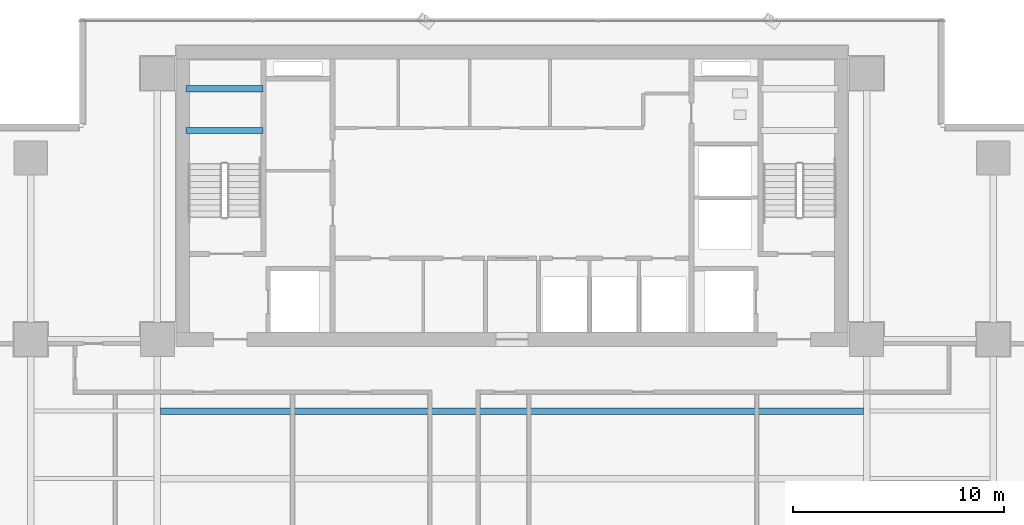
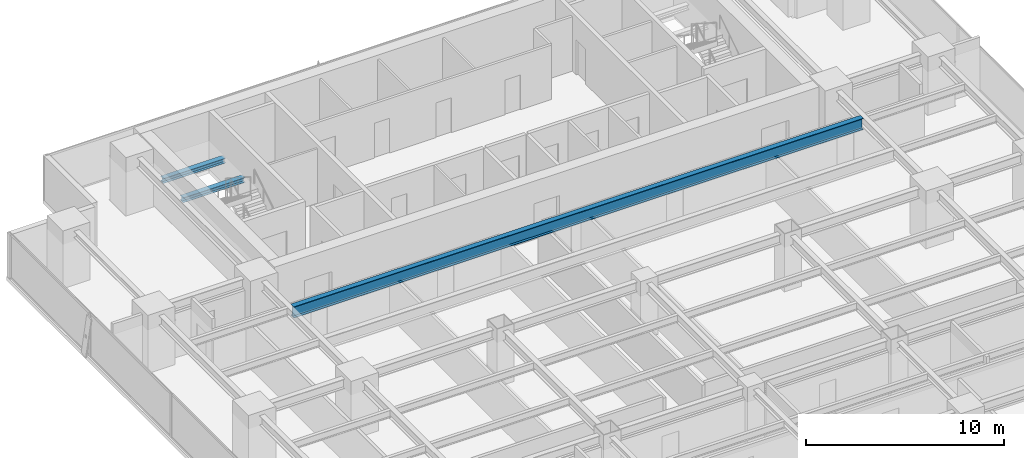
# One storey, part 19 of 36: 3 beams.
"""IFC4 building model written with IfcOpenShell, lengths in metres."""

from ifc_helpers import new_model, si_unit, direction, frame, origin, origin_2d, place, context, subcontext, project, spatial, i_section, extrude, source, transform, mapped, material, material_profile, profile_set, type_object, element, save


model = new_model("IFC4")

# Units and contexts
model_context = context("Model", 3, precision=1e-05, world=origin(), true_north=direction((0.0, 1.0)))
body_context = subcontext(model_context, "Body", "Model", "MODEL_VIEW")
ifc_project = project(units=[si_unit("LENGTHUNIT", "METRE"), si_unit("AREAUNIT", "SQUARE_METRE"), si_unit("VOLUMEUNIT", "CUBIC_METRE"), si_unit("PLANEANGLEUNIT", "RADIAN"), si_unit("MASSUNIT", "GRAM", prefix="KILO")], contexts=[model_context])

# Site, building, storey
site_placement = place(None, origin())
site = spatial("IfcSite", under=ifc_project, at=site_placement, CompositionType="ELEMENT")
building_placement = place(site_placement, origin())
building = spatial("IfcBuilding", under=site, at=building_placement, Name="Sumidabori Civic Tower", CompositionType="ELEMENT")
storey_placement = place(building_placement, frame((0.0, 0.0, 113.60009765625)))
storey = spatial("IfcBuildingStorey", under=building, at=storey_placement, Name="L29", CompositionType="ELEMENT", Elevation=113.60009765625)

# Beams
ifc_material = material(Name="Steel SN490", Category="steel")
ifc_material_profile_1 = material_profile(ifc_material, i_section(OverallWidth=0.300048828125, OverallDepth=0.300048828125, WebThickness=0.010986328125, FlangeThickness=0.01904296875, at=origin_2d()), Name="HE 300 B")
ifc_profile_set_1 = profile_set([ifc_material_profile_1], Name="Steel SN490")
beam_type_1 = type_object("IfcBeamType", Name="BM-LDG-300", PredefinedType="BEAM", material=ifc_profile_set_1)
shared_shape_1 = source(origin(), body_context, "Body", "SweptSolid", [
    extrude(i_section(OverallWidth=0.300048828125, OverallDepth=0.300048828125, WebThickness=0.010986328125, FlangeThickness=0.01904296875, at=origin_2d()), origin(), (0.0, 0.0, 1.0), 3.64990234375),
])
for number, where, z_axis, x_axis, name in (
    (1, (-15.449951171875, 20.09765625, 1.449951171875), (1.0, 0.0, 0.0), (0.0, 1.0, 0.0), "Stair ST-1 Landing Support Beam L29-1A"),
    (2, (-15.449951171875, 22.069580078125, 1.449951171875), (1.0, 0.0, 0.0), (0.0, 1.0, 0.0), "Stair ST-1 Landing Trimmer Beam L29-1B"),
):
    element("IfcBeam", number, at=place(storey_placement, frame(where, z_axis=z_axis, x_axis=x_axis)), inside=storey, type_object=beam_type_1, Name=name, PredefinedType="BEAM", context=body_context, shape_type="MappedRepresentation", body=[
        mapped(shared_shape_1, transform((0.0, 0.0, 0.0), x_axis=(1.0, 0.0, 0.0), y_axis=(0.0, 1.0, 0.0), z_axis=(0.0, 0.0, 1.0), scale=1.0)),
    ])
ifc_material_profile_2 = material_profile(ifc_material, i_section(OverallWidth=0.300048828125, OverallDepth=0.699951171875, WebThickness=0.01708984375, FlangeThickness=0.031982421875, at=origin_2d()), Name="HE 700 B")
ifc_profile_set_2 = profile_set([ifc_material_profile_2], Name="Steel SN490")
beam_type_2 = type_object("IfcBeamType", Name="BM-GIRD-700", PredefinedType="BEAM", material=ifc_profile_set_2)
shared_shape_2 = source(origin(), body_context, "Body", "SweptSolid", [
    extrude(i_section(OverallWidth=0.300048828125, OverallDepth=0.699951171875, WebThickness=0.01708984375, FlangeThickness=0.031982421875, at=origin_2d()), origin(), (0.0, 0.0, 1.0), 33.2998046875),
])
beam_placement = place(storey_placement, frame((-16.64990234375, 6.800048828125, 3.010009765625), z_axis=(1.0, 0.0, 0.0), x_axis=(0.0, 1.0, 0.0)))
element("IfcBeam", 3, at=beam_placement, inside=storey, type_object=beam_type_2, Name="North Bay Floor Beam L29 JSTN-54", PredefinedType="BEAM", context=body_context, shape_type="MappedRepresentation", body=[
    mapped(shared_shape_2, transform((0.0, 0.0, 0.0), x_axis=(1.0, 0.0, 0.0), y_axis=(0.0, 1.0, 0.0), z_axis=(0.0, 0.0, 1.0), scale=1.0)),
])

save(model, "model.ifc")
